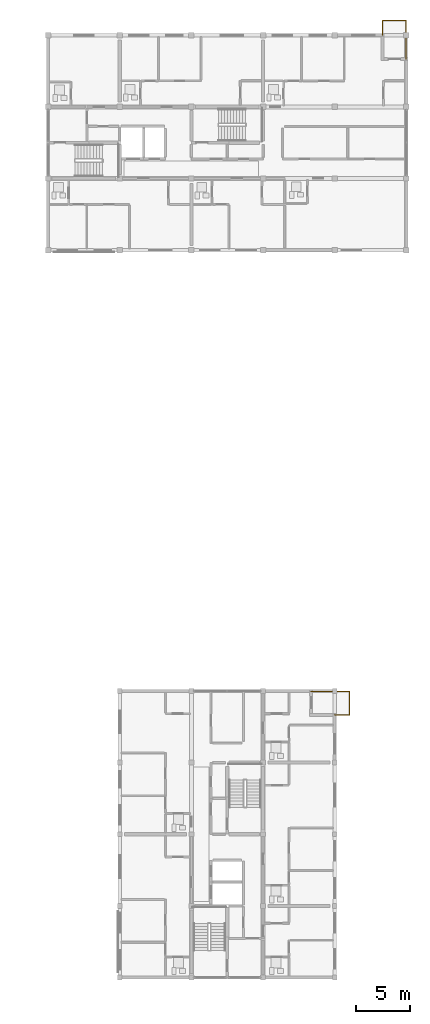
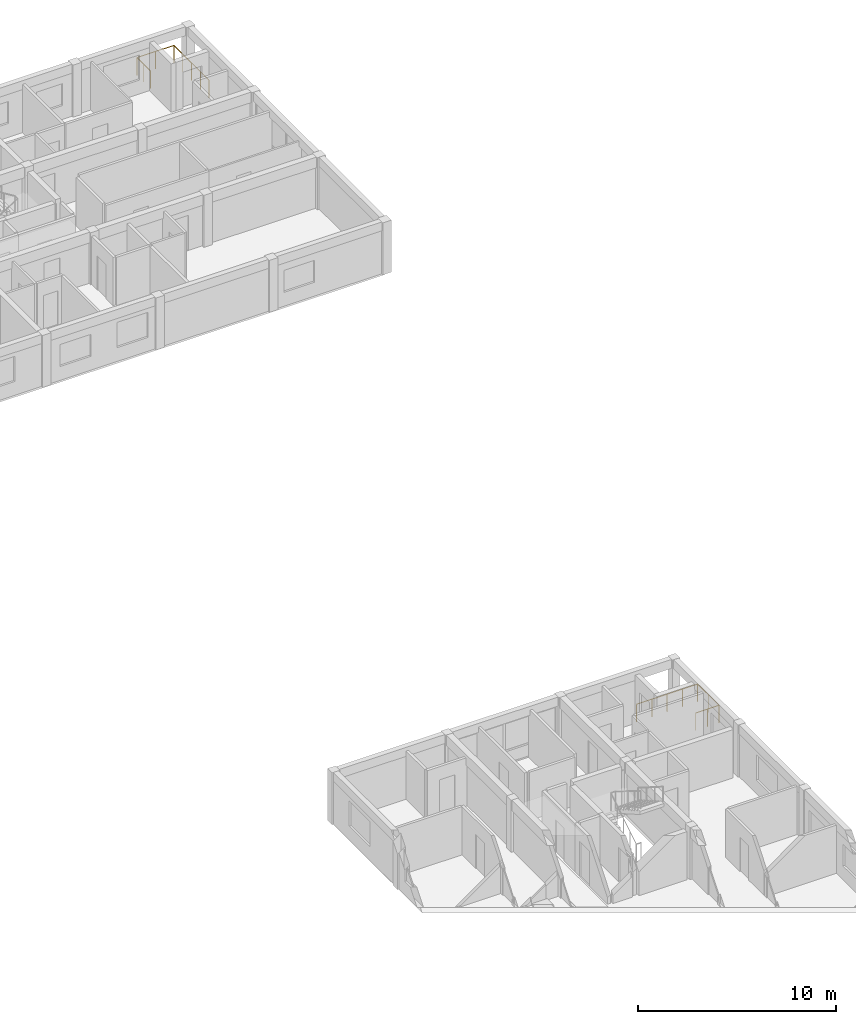
# One storey, part 45 of 46: 2 railings.
"""IFC4 building model written with IfcOpenShell, lengths in metres."""

from ifc_helpers import new_model, si_unit, direction, frame, origin, origin_2d, place, context, subcontext, project, spatial, circle, extrude, material, type_object, element, save


model = new_model("IFC4")

# Units and contexts
model_context = context("Model", 3, precision=1e-05, world=origin(), true_north=direction((0.0, 1.0)))
body_context = subcontext(model_context, "Body", "Model", "MODEL_VIEW")
ifc_project = project(units=[si_unit("LENGTHUNIT", "METRE"), si_unit("AREAUNIT", "SQUARE_METRE"), si_unit("VOLUMEUNIT", "CUBIC_METRE"), si_unit("PLANEANGLEUNIT", "RADIAN"), si_unit("MASSUNIT", "GRAM", prefix="KILO")], contexts=[model_context])

# Site, building, storey
site_placement = place(None, origin())
site = spatial("IfcSite", under=ifc_project, at=site_placement, CompositionType="ELEMENT")
building_placement = place(site_placement, origin())
building = spatial("IfcBuilding", under=site, at=building_placement, Name="Kernevlak Ridge Housing Community", CompositionType="ELEMENT")
storey_placement = place(building_placement, frame((0.0, 0.0, 27.60009765625)))
storey = spatial("IfcBuildingStorey", under=building, at=storey_placement, Name="L08", CompositionType="ELEMENT", Elevation=27.60009765625)

# Railings
ifc_material = material(Name="Steel S355", Category="steel")
railing_type = type_object("IfcRailingType", Name="BL-01", PredefinedType="BALUSTRADE", material=ifc_material)
railing_1_placement = place(storey_placement, frame((150.199951171875, 102.39990234375, 0.0)))
element("IfcRailing", 1, at=railing_1_placement, inside=storey, type_object=railing_type, Name="Block B L08 balcony balustrade BL-01 26", PredefinedType="BALUSTRADE", context=body_context, shape_type="SweptSolid", body=[
    extrude(circle(Radius=0.02392578125, at=origin_2d()), frame((0.0, 0.0, 1.076171875), z_axis=(0.0, 1.0, 0.0), x_axis=(-1.0, 0.0, 0.0)), (0.0, 0.0, 1.0), 1.35009765625),
    extrude(circle(Radius=0.02392578125, at=origin_2d()), frame((0.0, 1.35009765625, 1.076171875), z_axis=(1.0, 0.0, 0.0), x_axis=(0.0, 1.0, 0.0)), (0.0, 0.0, 1.0), 2.150146484375),
    extrude(circle(Radius=0.02392578125, at=origin_2d()), frame((2.150146484375, 1.35009765625, 1.076171875), z_axis=(0.0, -1.0, 0.0), x_axis=(1.0, 0.0, 0.0)), (0.0, 0.0, 1.0), 3.550048828125),
    extrude(circle(Radius=0.02099609375, at=origin_2d()), origin(), (0.0, 0.0, 1.0), 1.052001953125),
    extrude(circle(Radius=0.02099609375, at=origin_2d()), frame((0.0, 0.675048828125, 0.0)), (0.0, 0.0, 1.0), 1.052001953125),
    extrude(circle(Radius=0.02099609375, at=origin_2d()), frame((0.0, 1.35009765625, 0.0)), (0.0, 0.0, 1.0), 1.052001953125),
    extrude(circle(Radius=0.02099609375, at=origin_2d()), frame((1.0751953125, 1.35009765625, 0.0)), (0.0, 0.0, 1.0), 1.052001953125),
    extrude(circle(Radius=0.02099609375, at=origin_2d()), frame((2.150146484375, 1.35009765625, 0.0)), (0.0, 0.0, 1.0), 1.052001953125),
    extrude(circle(Radius=0.02099609375, at=origin_2d()), frame((2.150146484375, 0.462646484375, 0.0)), (0.0, 0.0, 1.0), 1.052001953125),
    extrude(circle(Radius=0.02099609375, at=origin_2d()), frame((2.150146484375, -0.4248046875, 0.0)), (0.0, 0.0, 1.0), 1.052001953125),
    extrude(circle(Radius=0.02099609375, at=origin_2d()), frame((2.150146484375, -1.3125, 0.0)), (0.0, 0.0, 1.0), 1.052001953125),
    extrude(circle(Radius=0.02099609375, at=origin_2d()), frame((2.150146484375, -2.199951171875, 0.0)), (0.0, 0.0, 1.0), 1.052001953125),
])
railing_2_placement = place(storey_placement, frame((145.800048828125, 39.800048828125, 0.0)))
element("IfcRailing", 2, at=railing_2_placement, inside=storey, type_object=railing_type, Name="Block C L08 balcony balustrade BL-01 41", PredefinedType="BALUSTRADE", context=body_context, shape_type="SweptSolid", body=[
    extrude(circle(Radius=0.02392578125, at=origin_2d()), frame((0.0, 0.0, 1.076171875), z_axis=(1.0, 0.0, 0.0), x_axis=(0.0, 1.0, 0.0)), (0.0, 0.0, 1.0), 1.349853515625),
    extrude(circle(Radius=0.02392578125, at=origin_2d()), frame((1.349853515625, 0.0, 1.076171875), z_axis=(0.0, 1.0, 0.0), x_axis=(-1.0, 0.0, 0.0)), (0.0, 0.0, 1.0), 2.14990234375),
    extrude(circle(Radius=0.02392578125, at=origin_2d()), frame((1.349853515625, 2.14990234375, 1.076171875), z_axis=(-1.0, 0.0, 0.0), x_axis=(0.0, -1.0, 0.0)), (0.0, 0.0, 1.0), 3.5498046875),
    extrude(circle(Radius=0.02099609375, at=origin_2d()), origin(), (0.0, 0.0, 1.0), 1.052001953125),
    extrude(circle(Radius=0.02099609375, at=origin_2d()), frame((0.6748046875, 0.0, 0.0)), (0.0, 0.0, 1.0), 1.052001953125),
    extrude(circle(Radius=0.02099609375, at=origin_2d()), frame((1.349853515625, 0.0, 0.0)), (0.0, 0.0, 1.0), 1.052001953125),
    extrude(circle(Radius=0.02099609375, at=origin_2d()), frame((1.349853515625, 1.074951171875, 0.0)), (0.0, 0.0, 1.0), 1.052001953125),
    extrude(circle(Radius=0.02099609375, at=origin_2d()), frame((1.349853515625, 2.14990234375, 0.0)), (0.0, 0.0, 1.0), 1.052001953125),
    extrude(circle(Radius=0.02099609375, at=origin_2d()), frame((0.46240234375, 2.14990234375, 0.0)), (0.0, 0.0, 1.0), 1.052001953125),
    extrude(circle(Radius=0.02099609375, at=origin_2d()), frame((-0.425048828125, 2.14990234375, 0.0)), (0.0, 0.0, 1.0), 1.052001953125),
    extrude(circle(Radius=0.02099609375, at=origin_2d()), frame((-1.3125, 2.14990234375, 0.0)), (0.0, 0.0, 1.0), 1.052001953125),
    extrude(circle(Radius=0.02099609375, at=origin_2d()), frame((-2.199951171875, 2.14990234375, 0.0)), (0.0, 0.0, 1.0), 1.052001953125),
])

save(model, "model.ifc")
